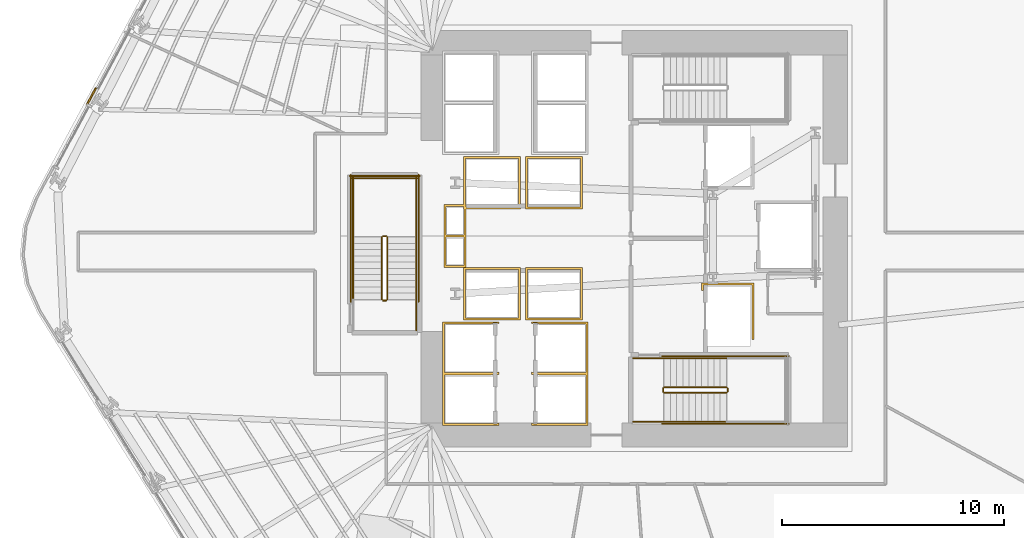
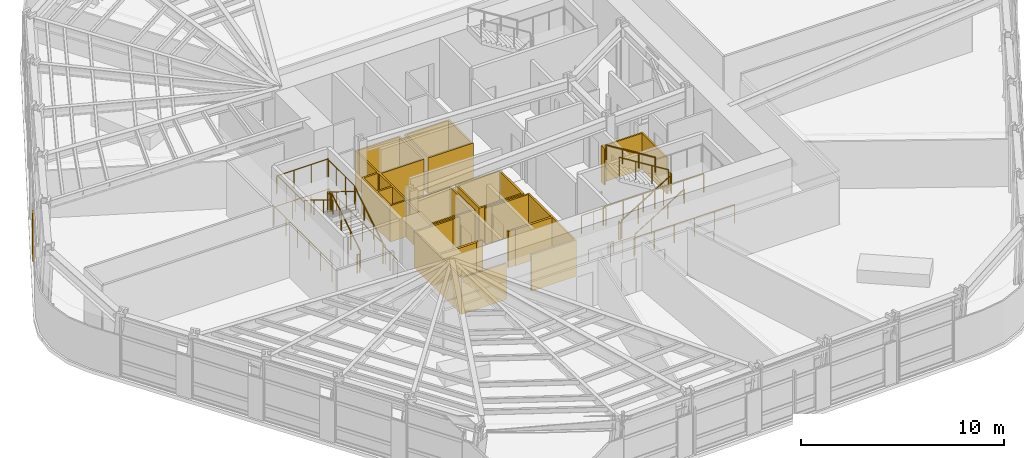
# One storey, part 11 of 15: 23 railings, 8 coverings.
"""IFC4 building model written with IfcOpenShell, lengths in metres."""

from ifc_helpers import new_model, si_unit, direction, frame, origin, origin_2d, place, context, subcontext, project, spatial, polyline, circle, outline, extrude, material, layer, layer_set, type_object, element, save


model = new_model("IFC4")

# Units and contexts
model_context = context("Model", 3, precision=1e-05, world=origin(), true_north=direction((0.0, 1.0)))
body_context = subcontext(model_context, "Body", "Model", "MODEL_VIEW")
ifc_project = project(units=[si_unit("LENGTHUNIT", "METRE"), si_unit("AREAUNIT", "SQUARE_METRE"), si_unit("VOLUMEUNIT", "CUBIC_METRE"), si_unit("PLANEANGLEUNIT", "RADIAN"), si_unit("MASSUNIT", "GRAM", prefix="KILO")], contexts=[model_context])

# Site, building, storey
site_placement = place(None, origin())
site = spatial("IfcSite", under=ifc_project, at=site_placement, CompositionType="ELEMENT")
building_placement = place(site_placement, origin())
building = spatial("IfcBuilding", under=site, at=building_placement, Name="Valkerne Bourse Tower", CompositionType="ELEMENT")
storey_placement = place(building_placement, frame((0.0, 0.0, 31.60009765625)))
storey = spatial("IfcBuildingStorey", under=building, at=storey_placement, Name="L07", CompositionType="ELEMENT", Elevation=31.60009765625)

# Coverings
ifc_material_1 = material(Name="Bronze Anodised Aluminium AA 6063-T6", Category="aluminium")
ifc_layer_1 = layer(ifc_material_1, 0.06005859375)
ifc_layer_set_1 = layer_set([ifc_layer_1], Name="Bronze Anodised Aluminium AA 6063-T6")
covering_type_1 = type_object("IfcCoveringType", Name="COV-CRN-ALUM", PredefinedType="CLADDING", material=ifc_layer_set_1)
covering_1_placement = place(storey_placement, origin())
element("IfcCovering", 1, at=covering_1_placement, inside=storey, type_object=covering_type_1, Name="L07 Wind-Shaped Corner Aluminium Cladding 12", PredefinedType="CLADDING", context=body_context, shape_type="SweptSolid", body=[
    extrude(outline(polyline([(22.5517578125, 33.677001953125), (22.622314453125, 33.639404296875), (22.223876953125, 32.899658203125), (22.1533203125, 32.9375), (22.5517578125, 33.677001953125)])), origin(), (0.0, 0.0, 1.0), 2.5),
])
ifc_material_2 = material(Name="Gypsum Shaftwall Liner Board", Category="gypsum")
ifc_layer_2 = layer(ifc_material_2, 0.080078125)
ifc_layer_set_2 = layer_set([ifc_layer_2], Name="Gypsum Shaftwall Liner Board")
covering_type_2 = type_object("IfcCoveringType", Name="COV-SHF-CLAD", PredefinedType="CLADDING", material=ifc_layer_set_2)
covering_2_placement = place(storey_placement, origin())
element("IfcCovering", 2, at=covering_2_placement, inside=storey, type_object=covering_type_2, Name="L07 Hoistway & Riser Shaftwall Liner 01", PredefinedType="CLADDING", context=body_context, shape_type="SweptSolid", body=[
    extrude(outline(polyline([(38.169921875, 23.1298828125), (40.72998046875, 23.1298828125), (40.72998046875, 23.052001953125), (40.72216796875, 23.0556640625), (40.6806640625, 23.070556640625), (40.6376953125, 23.081298828125), (40.593994140625, 23.087890625), (40.550048828125, 23.090087890625), (40.505859375, 23.087890625), (40.462158203125, 23.081298828125), (40.41943359375, 23.070556640625), (40.377685546875, 23.0556640625), (40.344482421875, 23.0400390625), (38.260009765625, 23.0400390625), (38.260009765625, 20.860107421875), (40.456787109375, 20.860107421875), (40.462158203125, 20.858642578125), (40.505859375, 20.852294921875), (40.550048828125, 20.85009765625), (40.593994140625, 20.852294921875), (40.6376953125, 20.858642578125), (40.6806640625, 20.869384765625), (40.72216796875, 20.88427734375), (40.72998046875, 20.887939453125), (40.72998046875, 20.830078125), (40.72998046875, 20.77001953125), (40.72998046875, 20.752197265625), (40.72216796875, 20.755615234375), (40.6806640625, 20.7705078125), (40.6376953125, 20.781494140625), (40.593994140625, 20.787841796875), (40.550048828125, 20.7900390625), (40.505859375, 20.787841796875), (40.462158203125, 20.781494140625), (40.41943359375, 20.7705078125), (40.377685546875, 20.755615234375), (40.344482421875, 20.739990234375), (38.260009765625, 20.739990234375), (38.260009765625, 18.56005859375), (40.456787109375, 18.56005859375), (40.462158203125, 18.55859375), (40.505859375, 18.55224609375), (40.550048828125, 18.550048828125), (40.593994140625, 18.55224609375), (40.6376953125, 18.55859375), (40.6806640625, 18.5693359375), (40.72216796875, 18.584228515625), (40.72998046875, 18.587890625), (40.72998046875, 18.469970703125), (38.169921875, 18.469970703125), (38.169921875, 20.77001953125), (38.169921875, 20.830078125), (38.169921875, 23.1298828125)])), origin(), (0.0, 0.0, 1.0), 2.179931640625),
])
covering_3_placement = place(storey_placement, origin())
element("IfcCovering", 3, at=covering_3_placement, inside=storey, type_object=covering_type_2, Name="L07 Hoistway & Riser Shaftwall Liner 02", PredefinedType="CLADDING", context=body_context, shape_type="SweptSolid", body=[
    extrude(outline(polyline([(41.679931640625, 23.219970703125), (39.1201171875, 23.219970703125), (39.1201171875, 25.580078125), (41.679931640625, 25.580078125), (41.679931640625, 23.219970703125)]), holes=[polyline([(39.2099609375, 25.489990234375), (39.2099609375, 23.31005859375), (41.590087890625, 23.31005859375), (41.590087890625, 25.489990234375), (39.2099609375, 25.489990234375)])]), origin(), (0.0, 0.0, 1.0), 2.179931640625),
])
covering_4_placement = place(storey_placement, origin())
element("IfcCovering", 4, at=covering_4_placement, inside=storey, type_object=covering_type_2, Name="L07 Hoistway & Riser Shaftwall Liner 03", PredefinedType="CLADDING", context=body_context, shape_type="SweptSolid", body=[
    extrude(outline(polyline([(44.47998046875, 23.219970703125), (41.919921875, 23.219970703125), (41.919921875, 25.580078125), (44.47998046875, 25.580078125), (44.47998046875, 23.219970703125)]), holes=[polyline([(42.010009765625, 25.489990234375), (42.010009765625, 23.31005859375), (44.389892578125, 23.31005859375), (44.389892578125, 25.489990234375), (42.010009765625, 25.489990234375)])]), origin(), (0.0, 0.0, 1.0), 2.179931640625),
])
covering_5_placement = place(storey_placement, origin())
element("IfcCovering", 5, at=covering_5_placement, inside=storey, type_object=covering_type_2, Name="L07 Hoistway & Riser Shaftwall Liner 04", PredefinedType="CLADDING", context=body_context, shape_type="SweptSolid", body=[
    extrude(outline(polyline([(38.239990234375, 28.409912109375), (39.1201171875, 28.409912109375), (39.1201171875, 30.580078125), (41.679931640625, 30.580078125), (41.679931640625, 28.219970703125), (39.239990234375, 28.219970703125), (39.239990234375, 27.0400390625), (39.239990234375, 26.9599609375), (39.239990234375, 25.590087890625), (38.239990234375, 25.590087890625), (38.239990234375, 26.9599609375), (38.239990234375, 27.0400390625), (38.239990234375, 28.409912109375)]), holes=[polyline([(39.2099609375, 30.489990234375), (39.2099609375, 28.409912109375), (39.239990234375, 28.409912109375), (39.239990234375, 28.31005859375), (41.590087890625, 28.31005859375), (41.590087890625, 30.489990234375), (39.2099609375, 30.489990234375)]), polyline([(38.330078125, 26.949951171875), (38.330078125, 25.679931640625), (39.14990234375, 25.679931640625), (39.14990234375, 26.949951171875), (38.330078125, 26.949951171875)]), polyline([(39.1201171875, 28.219970703125), (39.1201171875, 28.320068359375), (38.330078125, 28.320068359375), (38.330078125, 27.050048828125), (39.14990234375, 27.050048828125), (39.14990234375, 28.219970703125), (39.1201171875, 28.219970703125)])]), origin(), (0.0, 0.0, 1.0), 2.179931640625),
])
covering_6_placement = place(storey_placement, origin())
element("IfcCovering", 6, at=covering_6_placement, inside=storey, type_object=covering_type_2, Name="L07 Hoistway & Riser Shaftwall Liner 06", PredefinedType="CLADDING", context=body_context, shape_type="SweptSolid", body=[
    extrude(outline(polyline([(42.169921875, 20.830078125), (42.169921875, 20.887939453125), (42.177734375, 20.88427734375), (42.219482421875, 20.869384765625), (42.26220703125, 20.858642578125), (42.305908203125, 20.852294921875), (42.35009765625, 20.85009765625), (42.39404296875, 20.852294921875), (42.437744140625, 20.858642578125), (42.443115234375, 20.860107421875), (44.639892578125, 20.860107421875), (44.639892578125, 23.0400390625), (42.555419921875, 23.0400390625), (42.522216796875, 23.0556640625), (42.480712890625, 23.070556640625), (42.437744140625, 23.081298828125), (42.39404296875, 23.087890625), (42.35009765625, 23.090087890625), (42.305908203125, 23.087890625), (42.26220703125, 23.081298828125), (42.219482421875, 23.070556640625), (42.177734375, 23.0556640625), (42.169921875, 23.052001953125), (42.169921875, 23.1298828125), (44.72998046875, 23.1298828125), (44.72998046875, 20.830078125), (44.72998046875, 20.77001953125), (44.72998046875, 18.469970703125), (42.169921875, 18.469970703125), (42.169921875, 18.587890625), (42.177734375, 18.584228515625), (42.219482421875, 18.5693359375), (42.26220703125, 18.55859375), (42.305908203125, 18.55224609375), (42.35009765625, 18.550048828125), (42.39404296875, 18.55224609375), (42.437744140625, 18.55859375), (42.443115234375, 18.56005859375), (44.639892578125, 18.56005859375), (44.639892578125, 20.739990234375), (42.555419921875, 20.739990234375), (42.522216796875, 20.755615234375), (42.480712890625, 20.7705078125), (42.437744140625, 20.781494140625), (42.39404296875, 20.787841796875), (42.35009765625, 20.7900390625), (42.305908203125, 20.787841796875), (42.26220703125, 20.781494140625), (42.219482421875, 20.7705078125), (42.177734375, 20.755615234375), (42.169921875, 20.752197265625), (42.169921875, 20.77001953125), (42.169921875, 20.830078125)])), origin(), (0.0, 0.0, 1.0), 2.179931640625),
])
covering_7_placement = place(storey_placement, origin())
element("IfcCovering", 7, at=covering_7_placement, inside=storey, type_object=covering_type_2, Name="L07 Hoistway & Riser Shaftwall Liner 07", PredefinedType="CLADDING", context=body_context, shape_type="SweptSolid", body=[
    extrude(outline(polyline([(52.179931640625, 22.35009765625), (52.090087890625, 22.35009765625), (52.090087890625, 24.7900390625), (49.909912109375, 24.7900390625), (49.909912109375, 24.560791015625), (49.869384765625, 24.550537109375), (49.827880859375, 24.53564453125), (49.820068359375, 24.531982421875), (49.820068359375, 24.8798828125), (52.179931640625, 24.8798828125), (52.179931640625, 22.35009765625)])), origin(), (0.0, 0.0, 1.0), 2.179931640625),
])
covering_8_placement = place(storey_placement, origin())
element("IfcCovering", 8, at=covering_8_placement, inside=storey, type_object=covering_type_2, Name="L07 Hoistway & Riser Shaftwall Liner 09", PredefinedType="CLADDING", context=body_context, shape_type="SweptSolid", body=[
    extrude(outline(polyline([(44.47998046875, 28.219970703125), (41.919921875, 28.219970703125), (41.919921875, 30.580078125), (44.47998046875, 30.580078125), (44.47998046875, 28.219970703125)]), holes=[polyline([(42.010009765625, 30.489990234375), (42.010009765625, 28.31005859375), (44.389892578125, 28.31005859375), (44.389892578125, 30.489990234375), (42.010009765625, 30.489990234375)])]), origin(), (0.0, 0.0, 1.0), 2.179931640625),
])

# Railings
ifc_material_3 = material(Name="Galvanised Painted Steel", Category="steel")
railing_type_1 = type_object("IfcRailingType", Name="RLG-ST-GUARD-1120", PredefinedType="GUARDRAIL", material=ifc_material_3)
railing_1_placement = place(storey_placement, frame((48.14990234375, 19.949951171875, 0.172607421875)))
element("IfcRailing", 9, at=railing_1_placement, inside=storey, type_object=railing_type_1, Name="L07 ST-1 stair guard 1", PredefinedType="GUARDRAIL", context=body_context, shape_type="SweptSolid", body=[
    extrude(circle(Radius=0.02392578125, at=origin_2d()), frame((0.0, 0.0, 1.09619140625), z_axis=(0.851089632645, 0.0, 0.525020415988), x_axis=(0.0, 1.0, 0.0)), (0.0, 0.0, 1.0), 3.2900390625),
    extrude(circle(Radius=0.02099609375, at=origin_2d()), origin(), (0.0, 0.0, 1.0), 1.072021484375),
    extrude(circle(Radius=0.02099609375, at=origin_2d()), frame((0.933349609375, 0.0, 0.57568359375)), (0.0, 0.0, 1.0), 1.072021484375),
    extrude(circle(Radius=0.02099609375, at=origin_2d()), frame((1.86669921875, 0.0, 1.151611328125)), (0.0, 0.0, 1.0), 1.072021484375),
    extrude(circle(Radius=0.02099609375, at=origin_2d()), frame((2.800048828125, 0.0, 1.727294921875)), (0.0, 0.0, 1.0), 1.072021484375),
])
railing_2_placement = place(storey_placement, frame((51.0, 20.0, 1.89990234375)))
element("IfcRailing", 10, at=railing_2_placement, inside=storey, type_object=railing_type_1, Name="L07 ST-1 stair guard 2", PredefinedType="GUARDRAIL", context=body_context, shape_type="SweptSolid", body=[
    extrude(circle(Radius=0.02392578125, at=origin_2d()), frame((0.0, 0.0, 1.09619140625), z_axis=(0.0, 1.0, 0.0), x_axis=(-1.0, 0.0, 0.0)), (0.0, 0.0, 1.0), 0.14990234375),
    extrude(circle(Radius=0.02099609375, at=origin_2d()), origin(), (0.0, 0.0, 1.0), 1.072021484375),
    extrude(circle(Radius=0.02099609375, at=origin_2d()), frame((0.0, 0.14990234375, 0.0)), (0.0, 0.0, 1.0), 1.072021484375),
])
railing_3_placement = place(storey_placement, frame((50.949951171875, 20.199951171875, 2.072509765625)))
element("IfcRailing", 11, at=railing_3_placement, inside=storey, type_object=railing_type_1, Name="L07 ST-1 stair guard 6", PredefinedType="GUARDRAIL", context=body_context, shape_type="SweptSolid", body=[
    extrude(circle(Radius=0.02392578125, at=origin_2d()), frame((0.0, 0.0, 1.09619140625), z_axis=(-0.851089632645, 0.0, 0.525020415988), x_axis=(0.0, -1.0, 0.0)), (0.0, 0.0, 1.0), 3.2900390625),
    extrude(circle(Radius=0.02099609375, at=origin_2d()), origin(), (0.0, 0.0, 1.0), 1.072021484375),
    extrude(circle(Radius=0.02099609375, at=origin_2d()), frame((-0.933349609375, 0.0, 0.57568359375)), (0.0, 0.0, 1.0), 1.072021484375),
    extrude(circle(Radius=0.02099609375, at=origin_2d()), frame((-1.86669921875, 0.0, 1.151611328125)), (0.0, 0.0, 1.0), 1.072021484375),
    extrude(circle(Radius=0.02099609375, at=origin_2d()), frame((-2.800048828125, 0.0, 1.727294921875)), (0.0, 0.0, 1.0), 1.072021484375),
])
railing_4_placement = place(storey_placement, frame((48.10009765625, 20.0, 0.0)))
element("IfcRailing", 12, at=railing_4_placement, inside=storey, type_object=railing_type_1, Name="L07 ST-1 stair guard 7", PredefinedType="GUARDRAIL", context=body_context, shape_type="SweptSolid", body=[
    extrude(circle(Radius=0.02392578125, at=origin_2d()), frame((0.0, 0.0, 1.09619140625), z_axis=(0.0, 1.0, 0.0), x_axis=(-1.0, 0.0, 0.0)), (0.0, 0.0, 1.0), 0.14990234375),
    extrude(circle(Radius=0.02099609375, at=origin_2d()), origin(), (0.0, 0.0, 1.0), 1.072021484375),
    extrude(circle(Radius=0.02099609375, at=origin_2d()), frame((0.0, 0.14990234375, 0.0)), (0.0, 0.0, 1.0), 1.072021484375),
])
for number, where, name in (
    (13, (46.75, 18.64990234375, 0.0), "L07 ST-1 stair guard 8"),
    (14, (46.75, 21.5, 0.0), "L07 ST-1 stair guard 9"),
):
    element("IfcRailing", number, at=place(storey_placement, frame(where)), inside=storey, type_object=railing_type_1, Name=name, PredefinedType="GUARDRAIL", context=body_context, shape_type="SweptSolid", body=[
        extrude(circle(Radius=0.02392578125, at=origin_2d()), frame((0.0, 0.0, 1.09619140625), z_axis=(1.0, 0.0, 0.0), x_axis=(0.0, 1.0, 0.0)), (0.0, 0.0, 1.0), 1.39990234375),
        extrude(circle(Radius=0.02099609375, at=origin_2d()), origin(), (0.0, 0.0, 1.0), 1.072021484375),
        extrude(circle(Radius=0.02099609375, at=origin_2d()), frame((0.699951171875, 0.0, 0.0)), (0.0, 0.0, 1.0), 1.072021484375),
        extrude(circle(Radius=0.02099609375, at=origin_2d()), frame((1.39990234375, 0.0, 0.0)), (0.0, 0.0, 1.0), 1.072021484375),
    ])
for number, where, name in (
    (15, (48.050048828125, 18.550048828125, 0.0), "L07 ST-1 stair guard 10"),
    (16, (48.050048828125, 21.60009765625, 0.0), "L07 ST-1 stair guard 11"),
):
    element("IfcRailing", number, at=place(storey_placement, frame(where)), inside=storey, type_object=railing_type_1, Name=name, PredefinedType="GUARDRAIL", context=body_context, shape_type="SweptSolid", body=[
        extrude(circle(Radius=0.02392578125, at=origin_2d()), frame((0.0, 0.0, 1.09619140625), z_axis=(1.0, 0.0, 0.0), x_axis=(0.0, 1.0, 0.0)), (0.0, 0.0, 1.0), 5.699951171875),
        extrude(circle(Radius=0.02099609375, at=origin_2d()), origin(), (0.0, 0.0, 1.0), 1.072021484375),
        extrude(circle(Radius=0.02099609375, at=origin_2d()), frame((1.139892578125, 0.0, 0.0)), (0.0, 0.0, 1.0), 1.072021484375),
        extrude(circle(Radius=0.02099609375, at=origin_2d()), frame((2.280029296875, 0.0, 0.0)), (0.0, 0.0, 1.0), 1.072021484375),
        extrude(circle(Radius=0.02099609375, at=origin_2d()), frame((3.419921875, 0.0, 0.0)), (0.0, 0.0, 1.0), 1.072021484375),
        extrude(circle(Radius=0.02099609375, at=origin_2d()), frame((4.56005859375, 0.0, 0.0)), (0.0, 0.0, 1.0), 1.072021484375),
        extrude(circle(Radius=0.02099609375, at=origin_2d()), frame((5.699951171875, 0.0, 0.0)), (0.0, 0.0, 1.0), 1.072021484375),
    ])
railing_5_placement = place(storey_placement, frame((35.699951171875, 24.14990234375, 0.172607421875)))
element("IfcRailing", 17, at=railing_5_placement, inside=storey, type_object=railing_type_1, Name="L07 ST-3 stair guard 1", PredefinedType="GUARDRAIL", context=body_context, shape_type="SweptSolid", body=[
    extrude(circle(Radius=0.02392578125, at=origin_2d()), frame((0.0, 0.0, 1.09619140625), z_axis=(0.0, 0.851089632645, 0.525020415988), x_axis=(-1.0, 0.0, 0.0)), (0.0, 0.0, 1.0), 3.2900390625),
    extrude(circle(Radius=0.02099609375, at=origin_2d()), origin(), (0.0, 0.0, 1.0), 1.072021484375),
    extrude(circle(Radius=0.02099609375, at=origin_2d()), frame((0.0, 0.933349609375, 0.57568359375)), (0.0, 0.0, 1.0), 1.072021484375),
    extrude(circle(Radius=0.02099609375, at=origin_2d()), frame((0.0, 1.86669921875, 1.151611328125)), (0.0, 0.0, 1.0), 1.072021484375),
    extrude(circle(Radius=0.02099609375, at=origin_2d()), frame((0.0, 2.800048828125, 1.727294921875)), (0.0, 0.0, 1.0), 1.072021484375),
])
railing_6_placement = place(storey_placement, frame((35.64990234375, 27.0, 1.89990234375)))
element("IfcRailing", 18, at=railing_6_placement, inside=storey, type_object=railing_type_1, Name="L07 ST-3 stair guard 2", PredefinedType="GUARDRAIL", context=body_context, shape_type="SweptSolid", body=[
    extrude(circle(Radius=0.02392578125, at=origin_2d()), frame((0.0, 0.0, 1.09619140625), z_axis=(-1.0, 0.0, 0.0), x_axis=(0.0, -1.0, 0.0)), (0.0, 0.0, 1.0), 0.14990234375),
    extrude(circle(Radius=0.02099609375, at=origin_2d()), origin(), (0.0, 0.0, 1.0), 1.072021484375),
    extrude(circle(Radius=0.02099609375, at=origin_2d()), frame((-0.14990234375, 0.0, 0.0)), (0.0, 0.0, 1.0), 1.072021484375),
])
for number, where, name in (
    (19, (37.0, 26.949951171875, 1.89990234375), "L07 ST-3 stair guard 3"),
    (20, (34.14990234375, 26.949951171875, 1.89990234375), "L07 ST-3 stair guard 4"),
):
    element("IfcRailing", number, at=place(storey_placement, frame(where)), inside=storey, type_object=railing_type_1, Name=name, PredefinedType="GUARDRAIL", context=body_context, shape_type="SweptSolid", body=[
        extrude(circle(Radius=0.02392578125, at=origin_2d()), frame((0.0, 0.0, 1.09619140625), z_axis=(0.0, 1.0, 0.0), x_axis=(-1.0, 0.0, 0.0)), (0.0, 0.0, 1.0), 2.699951171875),
        extrude(circle(Radius=0.02099609375, at=origin_2d()), origin(), (0.0, 0.0, 1.0), 1.072021484375),
        extrude(circle(Radius=0.02099609375, at=origin_2d()), frame((0.0, 0.89990234375, 0.0)), (0.0, 0.0, 1.0), 1.072021484375),
        extrude(circle(Radius=0.02099609375, at=origin_2d()), frame((0.0, 1.800048828125, 0.0)), (0.0, 0.0, 1.0), 1.072021484375),
        extrude(circle(Radius=0.02099609375, at=origin_2d()), frame((0.0, 2.699951171875, 0.0)), (0.0, 0.0, 1.0), 1.072021484375),
    ])
railing_7_placement = place(storey_placement, frame((37.050048828125, 29.60009765625, 1.89990234375)))
element("IfcRailing", 21, at=railing_7_placement, inside=storey, type_object=railing_type_1, Name="L07 ST-3 stair guard 5", PredefinedType="GUARDRAIL", context=body_context, shape_type="SweptSolid", body=[
    extrude(circle(Radius=0.02392578125, at=origin_2d()), frame((0.0, 0.0, 1.09619140625), z_axis=(-1.0, 0.0, 0.0), x_axis=(0.0, -1.0, 0.0)), (0.0, 0.0, 1.0), 2.949951171875),
    extrude(circle(Radius=0.02099609375, at=origin_2d()), origin(), (0.0, 0.0, 1.0), 1.072021484375),
    extrude(circle(Radius=0.02099609375, at=origin_2d()), frame((-0.9833984375, 0.0, 0.0)), (0.0, 0.0, 1.0), 1.072021484375),
    extrude(circle(Radius=0.02099609375, at=origin_2d()), frame((-1.966552734375, 0.0, 0.0)), (0.0, 0.0, 1.0), 1.072021484375),
    extrude(circle(Radius=0.02099609375, at=origin_2d()), frame((-2.949951171875, 0.0, 0.0)), (0.0, 0.0, 1.0), 1.072021484375),
])
railing_8_placement = place(storey_placement, frame((35.449951171875, 26.949951171875, 2.072509765625)))
element("IfcRailing", 22, at=railing_8_placement, inside=storey, type_object=railing_type_1, Name="L07 ST-3 stair guard 6", PredefinedType="GUARDRAIL", context=body_context, shape_type="SweptSolid", body=[
    extrude(circle(Radius=0.02392578125, at=origin_2d()), frame((0.0, 0.0, 1.09619140625), z_axis=(0.0, -0.851089632645, 0.525020415988), x_axis=(1.0, 0.0, 0.0)), (0.0, 0.0, 1.0), 3.2900390625),
    extrude(circle(Radius=0.02099609375, at=origin_2d()), origin(), (0.0, 0.0, 1.0), 1.072021484375),
    extrude(circle(Radius=0.02099609375, at=origin_2d()), frame((0.0, -0.933349609375, 0.57568359375)), (0.0, 0.0, 1.0), 1.072021484375),
    extrude(circle(Radius=0.02099609375, at=origin_2d()), frame((0.0, -1.86669921875, 1.151611328125)), (0.0, 0.0, 1.0), 1.072021484375),
    extrude(circle(Radius=0.02099609375, at=origin_2d()), frame((0.0, -2.800048828125, 1.727294921875)), (0.0, 0.0, 1.0), 1.072021484375),
])
railing_9_placement = place(storey_placement, frame((35.64990234375, 24.10009765625, 0.0)))
element("IfcRailing", 23, at=railing_9_placement, inside=storey, type_object=railing_type_1, Name="L07 ST-3 stair guard 7", PredefinedType="GUARDRAIL", context=body_context, shape_type="SweptSolid", body=[
    extrude(circle(Radius=0.02392578125, at=origin_2d()), frame((0.0, 0.0, 1.09619140625), z_axis=(-1.0, 0.0, 0.0), x_axis=(0.0, -1.0, 0.0)), (0.0, 0.0, 1.0), 0.14990234375),
    extrude(circle(Radius=0.02099609375, at=origin_2d()), origin(), (0.0, 0.0, 1.0), 1.072021484375),
    extrude(circle(Radius=0.02099609375, at=origin_2d()), frame((-0.14990234375, 0.0, 0.0)), (0.0, 0.0, 1.0), 1.072021484375),
])
railing_10_placement = place(storey_placement, frame((37.0, 22.75, 0.0)))
element("IfcRailing", 24, at=railing_10_placement, inside=storey, type_object=railing_type_1, Name="L07 ST-3 stair guard 8", PredefinedType="GUARDRAIL", context=body_context, shape_type="SweptSolid", body=[
    extrude(circle(Radius=0.02392578125, at=origin_2d()), frame((0.0, 0.0, 1.09619140625), z_axis=(0.0, 1.0, 0.0), x_axis=(-1.0, 0.0, 0.0)), (0.0, 0.0, 1.0), 1.39990234375),
    extrude(circle(Radius=0.02099609375, at=origin_2d()), origin(), (0.0, 0.0, 1.0), 1.072021484375),
    extrude(circle(Radius=0.02099609375, at=origin_2d()), frame((0.0, 0.699951171875, 0.0)), (0.0, 0.0, 1.0), 1.072021484375),
    extrude(circle(Radius=0.02099609375, at=origin_2d()), frame((0.0, 1.39990234375, 0.0)), (0.0, 0.0, 1.0), 1.072021484375),
])
for number, where, name in (
    (25, (37.10009765625, 24.050048828125, 0.0), "L07 ST-3 stair guard 10"),
    (26, (34.050048828125, 24.050048828125, 0.0), "L07 ST-3 stair guard 11"),
):
    element("IfcRailing", number, at=place(storey_placement, frame(where)), inside=storey, type_object=railing_type_1, Name=name, PredefinedType="GUARDRAIL", context=body_context, shape_type="SweptSolid", body=[
        extrude(circle(Radius=0.02392578125, at=origin_2d()), frame((0.0, 0.0, 1.09619140625), z_axis=(0.0, 1.0, 0.0), x_axis=(-1.0, 0.0, 0.0)), (0.0, 0.0, 1.0), 5.699951171875),
        extrude(circle(Radius=0.02099609375, at=origin_2d()), origin(), (0.0, 0.0, 1.0), 1.072021484375),
        extrude(circle(Radius=0.02099609375, at=origin_2d()), frame((0.0, 1.139892578125, 0.0)), (0.0, 0.0, 1.0), 1.072021484375),
        extrude(circle(Radius=0.02099609375, at=origin_2d()), frame((0.0, 2.280029296875, 0.0)), (0.0, 0.0, 1.0), 1.072021484375),
        extrude(circle(Radius=0.02099609375, at=origin_2d()), frame((0.0, 3.419921875, 0.0)), (0.0, 0.0, 1.0), 1.072021484375),
        extrude(circle(Radius=0.02099609375, at=origin_2d()), frame((0.0, 4.56005859375, 0.0)), (0.0, 0.0, 1.0), 1.072021484375),
        extrude(circle(Radius=0.02099609375, at=origin_2d()), frame((0.0, 5.699951171875, 0.0)), (0.0, 0.0, 1.0), 1.072021484375),
    ])
railing_11_placement = place(storey_placement, frame((37.14990234375, 29.699951171875, 0.0)))
element("IfcRailing", 27, at=railing_11_placement, inside=storey, type_object=railing_type_1, Name="L07 ST-3 stair guard 12", PredefinedType="GUARDRAIL", context=body_context, shape_type="SweptSolid", body=[
    extrude(circle(Radius=0.02392578125, at=origin_2d()), frame((0.0, 0.0, 1.09619140625), z_axis=(-1.0, 0.0, 0.0), x_axis=(0.0, -1.0, 0.0)), (0.0, 0.0, 1.0), 3.14990234375),
    extrude(circle(Radius=0.02099609375, at=origin_2d()), origin(), (0.0, 0.0, 1.0), 1.072021484375),
    extrude(circle(Radius=0.02099609375, at=origin_2d()), frame((-1.050048828125, 0.0, 0.0)), (0.0, 0.0, 1.0), 1.072021484375),
    extrude(circle(Radius=0.02099609375, at=origin_2d()), frame((-2.099853515625, 0.0, 0.0)), (0.0, 0.0, 1.0), 1.072021484375),
    extrude(circle(Radius=0.02099609375, at=origin_2d()), frame((-3.14990234375, 0.0, 0.0)), (0.0, 0.0, 1.0), 1.072021484375),
])
ifc_material_4 = material(Name="Stainless Steel AISI 316", Category="steel")
railing_type_2 = type_object("IfcRailingType", Name="RLG-ST-HANDRAIL-900", PredefinedType="HANDRAIL", material=ifc_material_4)
railing_12_placement = place(storey_placement, frame((48.14990234375, 18.64990234375, 0.345458984375)))
element("IfcRailing", 28, at=railing_12_placement, inside=storey, type_object=railing_type_2, Name="L07 ST-1 stair handrail 1", PredefinedType="HANDRAIL", context=body_context, shape_type="SweptSolid", body=[
    extrude(circle(Radius=0.02392578125, at=origin_2d()), frame((0.0, 0.0, 0.8759765625), z_axis=(0.851122791225, 0.0, 0.524966660138), x_axis=(0.0, 1.0, 0.0)), (0.0, 0.0, 1.0), 3.289794921875),
    extrude(circle(Radius=0.02099609375, at=origin_2d()), origin(), (0.0, 0.0, 1.0), 0.851806640625),
    extrude(circle(Radius=0.02099609375, at=origin_2d()), frame((0.933349609375, 0.0, 0.57568359375)), (0.0, 0.0, 1.0), 0.851806640625),
    extrude(circle(Radius=0.02099609375, at=origin_2d()), frame((1.86669921875, 0.0, 1.1513671875)), (0.0, 0.0, 1.0), 0.851806640625),
    extrude(circle(Radius=0.02099609375, at=origin_2d()), frame((2.800048828125, 0.0, 1.72705078125)), (0.0, 0.0, 1.0), 0.851806640625),
])
railing_13_placement = place(storey_placement, frame((50.949951171875, 21.5, 2.245361328125)))
element("IfcRailing", 29, at=railing_13_placement, inside=storey, type_object=railing_type_2, Name="L07 ST-1 stair handrail 2", PredefinedType="HANDRAIL", context=body_context, shape_type="SweptSolid", body=[
    extrude(circle(Radius=0.02392578125, at=origin_2d()), frame((0.0, 0.0, 0.8759765625), z_axis=(-0.851089632645, 0.0, 0.525020415988), x_axis=(0.0, -1.0, 0.0)), (0.0, 0.0, 1.0), 3.2900390625),
    extrude(circle(Radius=0.02099609375, at=origin_2d()), origin(), (0.0, 0.0, 1.0), 0.851806640625),
    extrude(circle(Radius=0.02099609375, at=origin_2d()), frame((-0.933349609375, 0.0, 0.57568359375)), (0.0, 0.0, 1.0), 0.851806640625),
    extrude(circle(Radius=0.02099609375, at=origin_2d()), frame((-1.86669921875, 0.0, 1.151611328125)), (0.0, 0.0, 1.0), 0.851806640625),
    extrude(circle(Radius=0.02099609375, at=origin_2d()), frame((-2.800048828125, 0.0, 1.727294921875)), (0.0, 0.0, 1.0), 0.851806640625),
])
railing_14_placement = place(storey_placement, frame((37.0, 24.14990234375, 0.345458984375)))
element("IfcRailing", 30, at=railing_14_placement, inside=storey, type_object=railing_type_2, Name="L07 ST-3 stair handrail 1", PredefinedType="HANDRAIL", context=body_context, shape_type="SweptSolid", body=[
    extrude(circle(Radius=0.02392578125, at=origin_2d()), frame((0.0, 0.0, 0.8759765625), z_axis=(0.0, 0.851122791225, 0.524966660138), x_axis=(-1.0, 0.0, 0.0)), (0.0, 0.0, 1.0), 3.289794921875),
    extrude(circle(Radius=0.02099609375, at=origin_2d()), origin(), (0.0, 0.0, 1.0), 0.851806640625),
    extrude(circle(Radius=0.02099609375, at=origin_2d()), frame((0.0, 0.933349609375, 0.57568359375)), (0.0, 0.0, 1.0), 0.851806640625),
    extrude(circle(Radius=0.02099609375, at=origin_2d()), frame((0.0, 1.86669921875, 1.1513671875)), (0.0, 0.0, 1.0), 0.851806640625),
    extrude(circle(Radius=0.02099609375, at=origin_2d()), frame((0.0, 2.800048828125, 1.72705078125)), (0.0, 0.0, 1.0), 0.851806640625),
])
railing_15_placement = place(storey_placement, frame((34.14990234375, 26.949951171875, 2.245361328125)))
element("IfcRailing", 31, at=railing_15_placement, inside=storey, type_object=railing_type_2, Name="L07 ST-3 stair handrail 2", PredefinedType="HANDRAIL", context=body_context, shape_type="SweptSolid", body=[
    extrude(circle(Radius=0.02392578125, at=origin_2d()), frame((0.0, 0.0, 0.8759765625), z_axis=(0.0, -0.851089632645, 0.525020415988), x_axis=(1.0, 0.0, 0.0)), (0.0, 0.0, 1.0), 3.2900390625),
    extrude(circle(Radius=0.02099609375, at=origin_2d()), origin(), (0.0, 0.0, 1.0), 0.851806640625),
    extrude(circle(Radius=0.02099609375, at=origin_2d()), frame((0.0, -0.933349609375, 0.57568359375)), (0.0, 0.0, 1.0), 0.851806640625),
    extrude(circle(Radius=0.02099609375, at=origin_2d()), frame((0.0, -1.86669921875, 1.151611328125)), (0.0, 0.0, 1.0), 0.851806640625),
    extrude(circle(Radius=0.02099609375, at=origin_2d()), frame((0.0, -2.800048828125, 1.727294921875)), (0.0, 0.0, 1.0), 0.851806640625),
])

save(model, "model.ifc")
